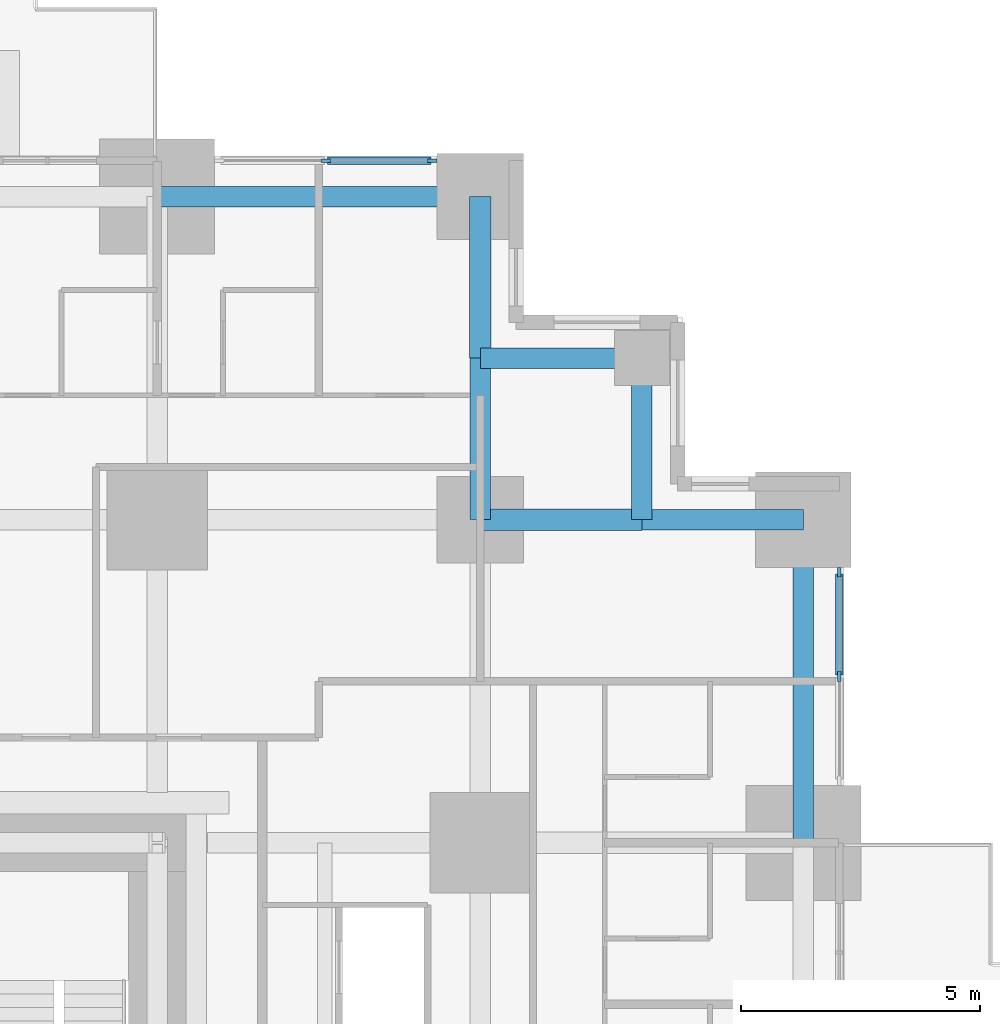
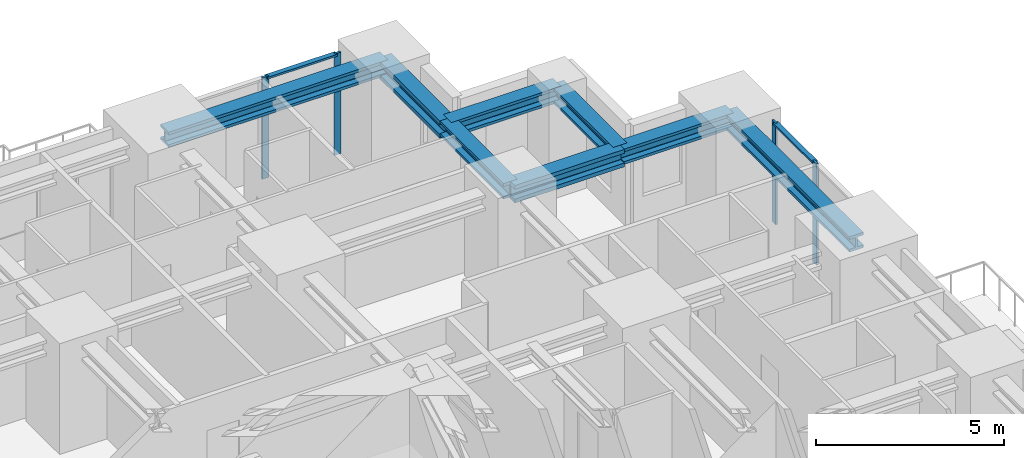
# One storey, part 6 of 15: 8 beams, 6 members, 2 elements without a shape of their own.
"""IFC4 building model written with IfcOpenShell, lengths in metres."""

from ifc_helpers import new_model, si_unit, direction, frame, origin, origin_2d, place, context, subcontext, project, spatial, rectangle, i_section, extrude, material, material_profile, profile_set, type_object, element, aggregate, save


model = new_model("IFC4")

# Units and contexts
model_context = context("Model", 3, precision=1e-05, world=origin(), true_north=direction((0.0, 1.0)))
body_context = subcontext(model_context, "Body", "Model", "MODEL_VIEW")
ifc_project = project(units=[si_unit("LENGTHUNIT", "METRE"), si_unit("AREAUNIT", "SQUARE_METRE"), si_unit("VOLUMEUNIT", "CUBIC_METRE"), si_unit("PLANEANGLEUNIT", "RADIAN"), si_unit("MASSUNIT", "GRAM", prefix="KILO")], contexts=[model_context])

# Site, building, storey
site_placement = place(None, origin())
site = spatial("IfcSite", under=ifc_project, at=site_placement, CompositionType="ELEMENT")
building_placement = place(site_placement, origin())
building = spatial("IfcBuilding", under=site, at=building_placement, Name="Nyansa Garden Tower", CompositionType="ELEMENT")
storey_placement = place(building_placement, frame((0.0, 0.0, 72.0)))
storey = spatial("IfcBuildingStorey", under=building, at=storey_placement, Name="L19", CompositionType="ELEMENT", Elevation=72.0)

# Curtain wall, members
ifc_material_1 = material(Name="Black anodised aluminium, dark tinted double glazing", Category="aluminium")
curtain_wall_type = type_object("IfcCurtainWallType", Name="Inner skin curtain wall ISW-A", PredefinedType="USERDEFINED", material=ifc_material_1)
curtain_wall_1_placement = place(storey_placement, origin())
curtain_wall_1 = element("IfcCurtainWall", 1, at=curtain_wall_1_placement, inside=storey, type_object=curtain_wall_type, Name="Inner skin curtain wall L19 E", ObjectType="UNITISED CURTAIN WALL", PredefinedType="USERDEFINED")
ifc_material_2 = material(Name="Black anodised aluminium", Category="aluminium")
ifc_material_profile_1 = material_profile(ifc_material_2, rectangle(XDim=0.06494140625, YDim=0.199951171875, at=origin_2d()), Name="Mullion 200x65")
ifc_profile_set_1 = profile_set([ifc_material_profile_1], Name="Black anodised aluminium")
member_type_1 = type_object("IfcMemberType", Name="Mullion ISW-A 200x65", PredefinedType="MULLION", material=ifc_profile_set_1)
member_1_placement = place(storey_placement, frame((41.25, 30.47509765625, 0.0), z_axis=(0.0, 0.0, 1.0), x_axis=(-1.0, 0.0, 0.0)))
member_1 = element("IfcMember", 2, at=member_1_placement, type_object=member_type_1, Name="ISW-A mullion 2", PredefinedType="MULLION", context=body_context, shape_type="SweptSolid", body=[
    extrude(rectangle(XDim=0.06494140625, YDim=0.199951171875, at=origin_2d()), origin(), (0.0, 0.0, 1.0), 3.300048828125),
])
member_2_placement = place(storey_placement, frame((41.25, 32.64990234375, 0.0), z_axis=(0.0, 0.0, 1.0), x_axis=(-1.0, 0.0, 0.0)))
member_2 = element("IfcMember", 3, at=member_2_placement, type_object=member_type_1, Name="ISW-A mullion 3", PredefinedType="MULLION", context=body_context, shape_type="SweptSolid", body=[
    extrude(rectangle(XDim=0.06494140625, YDim=0.199951171875, at=origin_2d()), origin(), (0.0, 0.0, 1.0), 3.300048828125),
])

curtain_wall_2_placement = place(storey_placement, origin())
curtain_wall_2 = element("IfcCurtainWall", 4, at=curtain_wall_2_placement, inside=storey, type_object=curtain_wall_type, Name="Inner skin curtain wall L19 N", ObjectType="UNITISED CURTAIN WALL", PredefinedType="USERDEFINED")
member_3_placement = place(storey_placement, frame((32.75, 41.25, 0.0), z_axis=(0.0, 0.0, 1.0), x_axis=(0.0, -1.0, 0.0)))
member_3 = element("IfcMember", 5, at=member_3_placement, type_object=member_type_1, Name="ISW-A mullion 1", PredefinedType="MULLION", context=body_context, shape_type="SweptSolid", body=[
    extrude(rectangle(XDim=0.06494140625, YDim=0.199951171875, at=origin_2d()), origin(), (0.0, 0.0, 1.0), 3.300048828125),
])
member_4_placement = place(storey_placement, frame((30.52490234375, 41.25, 0.0), z_axis=(0.0, 0.0, 1.0), x_axis=(0.0, -1.0, 0.0)))
member_4 = element("IfcMember", 6, at=member_4_placement, type_object=member_type_1, Name="ISW-A mullion 2", PredefinedType="MULLION", context=body_context, shape_type="SweptSolid", body=[
    extrude(rectangle(XDim=0.06494140625, YDim=0.199951171875, at=origin_2d()), origin(), (0.0, 0.0, 1.0), 3.300048828125),
])

# Beams
ifc_material_3 = material(Name="Steel S355", Category="steel")
ifc_material_profile_2 = material_profile(ifc_material_3, i_section(OverallWidth=0.4541015625, OverallDepth=0.569091796875, WebThickness=0.077880859375, FlangeThickness=0.125, FilletRadius=0.014892578125, at=origin_2d()), Name="HD 400x1086")
ifc_profile_set_2 = profile_set([ifc_material_profile_2], Name="Steel S355")
beam_type_1 = type_object("IfcBeamType", Name="Steel beam SBA2-1086 HD 400x1086", PredefinedType="BEAM", material=ifc_profile_set_2)
beam_1_placement = place(storey_placement, frame((33.75, 33.75, 3.015380859375), z_axis=(1.0, 0.0, 0.0), x_axis=(0.0, 1.0, 0.0)))
element("IfcBeam", 7, at=beam_1_placement, inside=storey, type_object=beam_type_1, Name="Steel beam 7/J-37.125/J L20", PredefinedType="BEAM", context=body_context, shape_type="SweptSolid", body=[
    extrude(i_section(OverallWidth=0.4541015625, OverallDepth=0.569091796875, WebThickness=0.077880859375, FlangeThickness=0.125, FilletRadius=0.014892578125, at=origin_2d()), origin(), (0.0, 0.0, 1.0), 3.375),
])
ifc_material_4 = material(Name="Steel S355", Category="steel")
ifc_material_profile_3 = material_profile(ifc_material_4, i_section(OverallWidth=0.431884765625, OverallDepth=0.498046875, WebThickness=0.0556640625, FlangeThickness=0.0888671875, FilletRadius=0.014892578125, at=origin_2d()), Name="HD 400x744")
ifc_profile_set_3 = profile_set([ifc_material_profile_3], Name="Steel S355")
beam_type_2 = type_object("IfcBeamType", Name="Steel beam SBA2-744 HD 400x744", PredefinedType="BEAM", material=ifc_profile_set_3)
beam_2_placement = place(storey_placement, frame((33.75, 33.75, 3.051025390625), z_axis=(0.0, 1.0, 0.0), x_axis=(-1.0, 0.0, 0.0)))
element("IfcBeam", 8, at=beam_2_placement, inside=storey, type_object=beam_type_2, Name="Steel beam 7/J-7/37.125 L20", PredefinedType="BEAM", context=body_context, shape_type="SweptSolid", body=[
    extrude(i_section(OverallWidth=0.431884765625, OverallDepth=0.498046875, WebThickness=0.0556640625, FlangeThickness=0.0888671875, FilletRadius=0.014892578125, at=origin_2d()), origin(), (0.0, 0.0, 1.0), 3.375),
])
ifc_material_5 = material(Name="Steel S355", Category="steel")
ifc_material_profile_4 = material_profile(ifc_material_5, i_section(OverallWidth=0.431884765625, OverallDepth=0.498046875, WebThickness=0.0556640625, FlangeThickness=0.0888671875, FilletRadius=0.014892578125, at=origin_2d()), Name="HD 400x744")
ifc_profile_set_4 = profile_set([ifc_material_profile_4], Name="Steel S355")
beam_type_3 = type_object("IfcBeamType", Name="Steel beam SEBA-744 HD 400x744", PredefinedType="BEAM", material=ifc_profile_set_4)
for number, where, z_axis, x_axis, name in (
    (9, (27.0, 40.5, 3.051025390625), (1.0, 0.0, 0.0), (0.0, 1.0, 0.0), "Steel edge beam 6/K-7/K L20"),
    (10, (40.5, 27.0, 3.051025390625), (0.0, 1.0, 0.0), (-1.0, 0.0, 0.0), "Steel edge beam 8/H-8/J L20"),
):
    element("IfcBeam", number, at=place(storey_placement, frame(where, z_axis=z_axis, x_axis=x_axis)), inside=storey, type_object=beam_type_3, Name=name, PredefinedType="BEAM", context=body_context, shape_type="SweptSolid", body=[
        extrude(i_section(OverallWidth=0.431884765625, OverallDepth=0.498046875, WebThickness=0.0556640625, FlangeThickness=0.0888671875, FilletRadius=0.014892578125, at=origin_2d()), origin(), (0.0, 0.0, 1.0), 6.75),
    ])
ifc_material_6 = material(Name="Steel S355", Category="steel")
ifc_material_profile_5 = material_profile(ifc_material_6, i_section(OverallWidth=0.4541015625, OverallDepth=0.569091796875, WebThickness=0.077880859375, FlangeThickness=0.125, FilletRadius=0.014892578125, at=origin_2d()), Name="HD 400x1086")
ifc_profile_set_5 = profile_set([ifc_material_profile_5], Name="Steel S355")
beam_type_4 = type_object("IfcBeamType", Name="Steel beam SEBA2-1086 HD 400x1086", PredefinedType="BEAM", material=ifc_profile_set_5)
beam_3_placement = place(storey_placement, frame((33.75, 37.125, 3.015380859375), z_axis=(0.0, 1.0, 0.0), x_axis=(-1.0, 0.0, 0.0)))
element("IfcBeam", 11, at=beam_3_placement, inside=storey, type_object=beam_type_4, Name="Steel edge beam 7/37.125-7/K L20", PredefinedType="BEAM", context=body_context, shape_type="SweptSolid", body=[
    extrude(i_section(OverallWidth=0.4541015625, OverallDepth=0.569091796875, WebThickness=0.077880859375, FlangeThickness=0.125, FilletRadius=0.014892578125, at=origin_2d()), origin(), (0.0, 0.0, 1.0), 3.375),
])
ifc_material_7 = material(Name="Steel S355", Category="steel")
ifc_material_profile_6 = material_profile(ifc_material_7, i_section(OverallWidth=0.431884765625, OverallDepth=0.498046875, WebThickness=0.0556640625, FlangeThickness=0.0888671875, FilletRadius=0.014892578125, at=origin_2d()), Name="HD 400x744")
ifc_profile_set_6 = profile_set([ifc_material_profile_6], Name="Steel S355")
beam_type_5 = type_object("IfcBeamType", Name="Steel beam SEBA2-744 HD 400x744", PredefinedType="BEAM", material=ifc_profile_set_6)
beam_4_placement = place(storey_placement, frame((37.125, 33.75, 3.051025390625), z_axis=(1.0, 0.0, 0.0), x_axis=(0.0, 1.0, 0.0)))
element("IfcBeam", 12, at=beam_4_placement, inside=storey, type_object=beam_type_5, Name="Steel edge beam 37.125/J-8/J L20", PredefinedType="BEAM", context=body_context, shape_type="SweptSolid", body=[
    extrude(i_section(OverallWidth=0.431884765625, OverallDepth=0.498046875, WebThickness=0.0556640625, FlangeThickness=0.0888671875, FilletRadius=0.014892578125, at=origin_2d()), origin(), (0.0, 0.0, 1.0), 3.375),
])
ifc_material_8 = material(Name="Steel S355", Category="steel")
ifc_material_profile_7 = material_profile(ifc_material_8, i_section(OverallWidth=0.431884765625, OverallDepth=0.498046875, WebThickness=0.0556640625, FlangeThickness=0.0888671875, FilletRadius=0.014892578125, at=origin_2d()), Name="HD 400x744")
ifc_profile_set_7 = profile_set([ifc_material_profile_7], Name="Steel S355")
beam_type_6 = type_object("IfcBeamType", Name="Steel beam SSB1-744 HD 400x744", PredefinedType="BEAM", material=ifc_profile_set_7)
for number, where, z_axis, x_axis, name in (
    (13, (37.125, 37.125, 3.051025390625), (0.0, -1.0, 0.0), (1.0, 0.0, 0.0), "Steel step beam 37.125/37.125 L20"),
    (14, (37.125, 37.125, 3.051025390625), (-1.0, 0.0, 0.0), (0.0, -1.0, 0.0), "Steel step beam 37.125/37.125 L20"),
):
    element("IfcBeam", number, at=place(storey_placement, frame(where, z_axis=z_axis, x_axis=x_axis)), inside=storey, type_object=beam_type_6, Name=name, PredefinedType="BEAM", context=body_context, shape_type="SweptSolid", body=[
        extrude(i_section(OverallWidth=0.431884765625, OverallDepth=0.498046875, WebThickness=0.0556640625, FlangeThickness=0.0888671875, FilletRadius=0.014892578125, at=origin_2d()), origin(), (0.0, 0.0, 1.0), 3.375),
    ])

# Member
ifc_material_9 = material(Name="Black anodised aluminium", Category="aluminium")
ifc_material_profile_8 = material_profile(ifc_material_9, rectangle(XDim=0.14990234375, YDim=0.06494140625, at=origin_2d()), Name="Transom 150x65")
ifc_profile_set_8 = profile_set([ifc_material_profile_8], Name="Black anodised aluminium")
member_type_2 = type_object("IfcMemberType", Name="Transom ISW-A 150x65", PredefinedType="USERDEFINED", material=ifc_profile_set_8)
member_5_placement = place(storey_placement, frame((41.25, 30.507568359375, 3.267578125), z_axis=(0.0, 1.0, 0.0), x_axis=(-1.0, 0.0, 0.0)))
member_5 = element("IfcMember", 15, at=member_5_placement, type_object=member_type_2, Name="ISW-A transom 2", ObjectType="TRANSOM", PredefinedType="USERDEFINED", context=body_context, shape_type="SweptSolid", body=[
    extrude(rectangle(XDim=0.14990234375, YDim=0.06494140625, at=origin_2d()), origin(), (0.0, 0.0, 1.0), 2.10986328125),
])

aggregate(curtain_wall_1, [member_1, member_2, member_5])

member_6_placement = place(storey_placement, frame((32.717529296875, 41.25, 3.267578125), z_axis=(-1.0, 0.0, 0.0), x_axis=(0.0, -1.0, 0.0)))
member_6 = element("IfcMember", 16, at=member_6_placement, type_object=member_type_2, Name="ISW-A transom 1", ObjectType="TRANSOM", PredefinedType="USERDEFINED", context=body_context, shape_type="SweptSolid", body=[
    extrude(rectangle(XDim=0.14990234375, YDim=0.06494140625, at=origin_2d()), origin(), (0.0, 0.0, 1.0), 2.159912109375),
])

aggregate(curtain_wall_2, [member_3, member_4, member_6])

save(model, "model.ifc")
